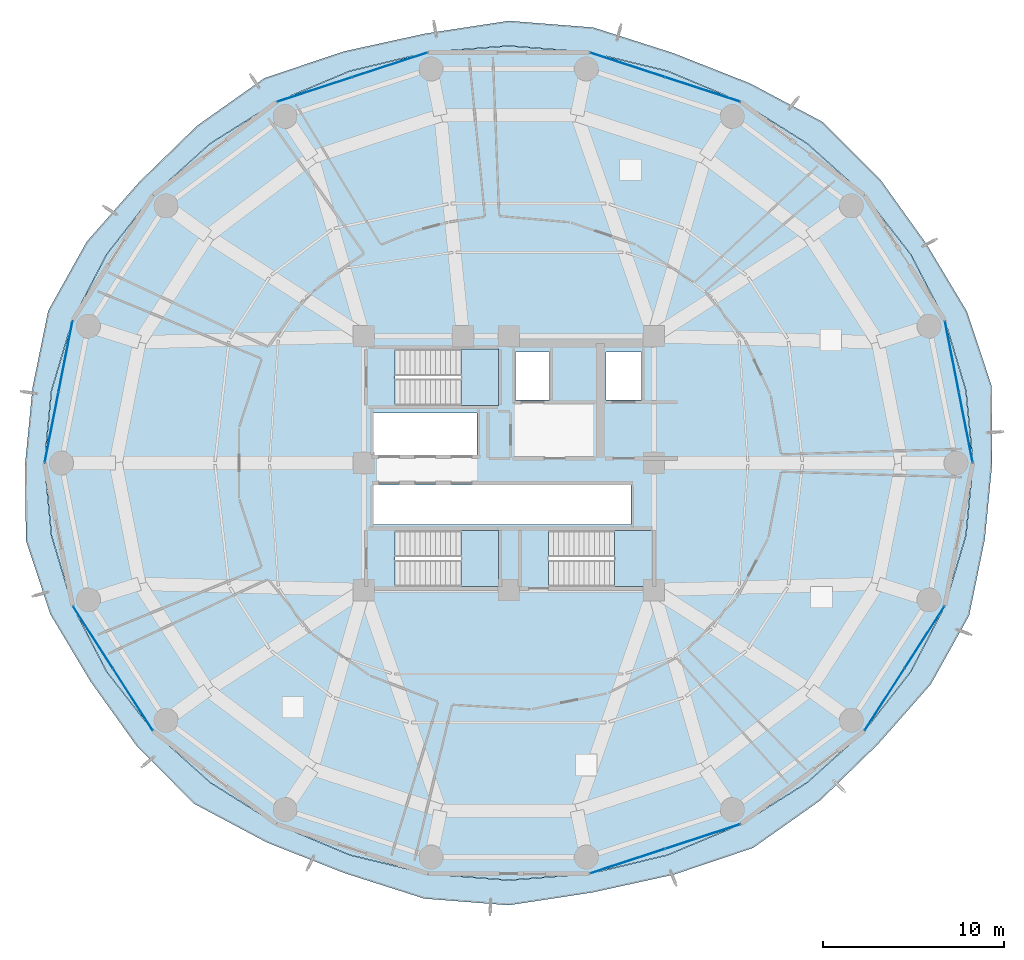
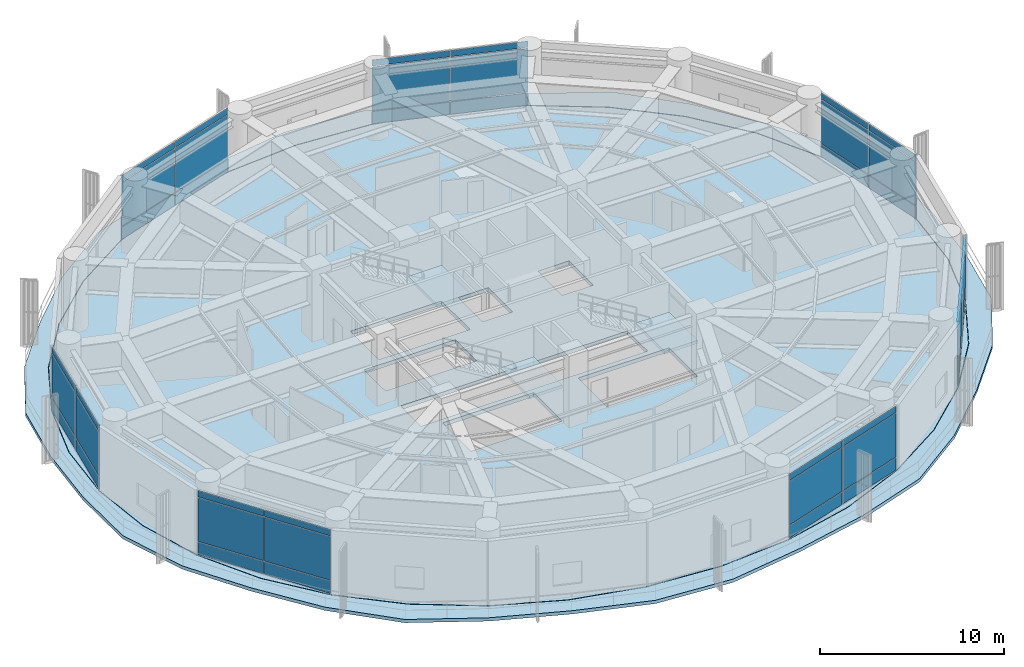
# One storey, part 26 of 34: 42 plates, 5 slabs, 10 elements without a shape of their own.
"""IFC4 building model written with IfcOpenShell, lengths in metres."""

from ifc_helpers import new_model, si_unit, direction, frame, origin, origin_2d, place, context, subcontext, project, spatial, polyline, rectangle, outline, extrude, source, transform, mapped, material, layer, layer_set, type_object, element, aggregate, save


model = new_model("IFC4")

# Units and contexts
model_context = context("Model", 3, precision=1e-05, world=origin(), true_north=direction((0.0, 1.0)))
body_context = subcontext(model_context, "Body", "Model", "MODEL_VIEW")
ifc_project = project(units=[si_unit("LENGTHUNIT", "METRE"), si_unit("AREAUNIT", "SQUARE_METRE"), si_unit("VOLUMEUNIT", "CUBIC_METRE"), si_unit("PLANEANGLEUNIT", "RADIAN"), si_unit("MASSUNIT", "GRAM", prefix="KILO")], contexts=[model_context])

# Site, building, storey
site_placement = place(None, origin())
site = spatial("IfcSite", under=ifc_project, at=site_placement, CompositionType="ELEMENT")
building_placement = place(site_placement, origin())
building = spatial("IfcBuilding", under=site, at=building_placement, Name="Kelanora Arch Commons", CompositionType="ELEMENT")
storey_placement = place(building_placement, frame((0.0, 0.0, 125.10009765625)))
storey = spatial("IfcBuildingStorey", under=building, at=storey_placement, Name="L32", CompositionType="ELEMENT", Elevation=125.10009765625)

# Stair, slab
ifc_material_1 = material(Name="Concrete C40/50", Category="concrete")
stair_type = type_object("IfcStairType", Name="STR-DL-476", PredefinedType="HALF_TURN_STAIR", material=ifc_material_1)
stair_1_placement = place(storey_placement, origin())
stair_1 = element("IfcStair", 1, at=stair_1_placement, inside=storey, type_object=stair_type, Name="L32 ST-T1", PredefinedType="HALF_TURN_STAIR")
ifc_layer_1 = layer(ifc_material_1, 0.199951171875)
ifc_layer_set_1 = layer_set([ifc_layer_1], Name="Concrete C40/50")
slab_type_1 = type_object("IfcSlabType", Name="SLB-STAIR-LND", PredefinedType="LANDING", material=ifc_layer_set_1)
slab_1_placement = place(storey_placement, frame((0.0, 0.0, 2.179931640625)))
slab_1 = element("IfcSlab", 2, at=slab_1_placement, type_object=slab_type_1, Name="ST-T1 landing 1", PredefinedType="LANDING", context=body_context, shape_type="SweptSolid", body=[
    extrude(outline(polyline([(71.360107421875, 61.179931640625), (73.43994140625, 61.179931640625), (73.43994140625, 64.2900390625), (71.360107421875, 64.2900390625), (71.360107421875, 61.179931640625)])), origin(), (0.0, 0.0, 1.0), 0.199951171875),
])
aggregate(stair_1, [slab_1])

stair_2_placement = place(storey_placement, origin())
stair_2 = element("IfcStair", 3, at=stair_2_placement, inside=storey, type_object=stair_type, Name="L32 ST-T2", PredefinedType="HALF_TURN_STAIR")
slab_2_placement = place(storey_placement, frame((0.0, 0.0, 2.179931640625)))
slab_2 = element("IfcSlab", 4, at=slab_2_placement, type_object=slab_type_1, Name="ST-T2 landing 1", PredefinedType="LANDING", context=body_context, shape_type="SweptSolid", body=[
    extrude(outline(polyline([(79.840087890625, 51.179931640625), (81.919921875, 51.179931640625), (81.919921875, 54.2900390625), (79.840087890625, 54.2900390625), (79.840087890625, 51.179931640625)])), origin(), (0.0, 0.0, 1.0), 0.199951171875),
])
aggregate(stair_2, [slab_2])

stair_3_placement = place(storey_placement, origin())
stair_3 = element("IfcStair", 5, at=stair_3_placement, inside=storey, type_object=stair_type, Name="L32 ST-T3", PredefinedType="HALF_TURN_STAIR")
slab_3_placement = place(storey_placement, frame((0.0, 0.0, 2.179931640625)))
slab_3 = element("IfcSlab", 6, at=slab_3_placement, type_object=slab_type_1, Name="ST-T3 landing 1", PredefinedType="LANDING", context=body_context, shape_type="SweptSolid", body=[
    extrude(outline(polyline([(71.360107421875, 51.179931640625), (73.43994140625, 51.179931640625), (73.43994140625, 54.2900390625), (71.360107421875, 54.2900390625), (71.360107421875, 51.179931640625)])), origin(), (0.0, 0.0, 1.0), 0.199951171875),
])
aggregate(stair_3, [slab_3])

# Slabs
ifc_layer_2 = layer(ifc_material_1, 0.260009765625)
ifc_layer_set_2 = layer_set([ifc_layer_2], Name="Concrete C40/50")
slab_type_2 = type_object("IfcSlabType", Name="SLB-TWR-TYP", PredefinedType="FLOOR", material=ifc_layer_set_2)
slab_4_placement = place(storey_placement, frame((0.0, 0.0, -0.260009765625)))
element("IfcSlab", 7, at=slab_4_placement, inside=storey, type_object=slab_type_2, Name="Tower Floor Slab L32", PredefinedType="FLOOR", context=body_context, shape_type="SweptSolid", body=[
    extrude(outline(polyline([(99.60009765625, 58.0), (99.211181640625, 61.993896484375), (98.05615234375, 65.866455078125), (96.17041015625, 69.5), (93.610595703125, 72.7841796875), (90.455322265625, 75.618896484375), (86.800048828125, 77.918701171875), (82.755615234375, 79.61279296875), (78.4453125, 80.650634765625), (74.0, 81.0), (69.5546875, 80.650634765625), (65.244384765625, 79.61279296875), (61.199951171875, 77.918701171875), (57.544677734375, 75.618896484375), (54.389404296875, 72.7841796875), (51.82958984375, 69.5), (49.94384765625, 65.866455078125), (48.788818359375, 61.993896484375), (48.39990234375, 58.0), (48.788818359375, 54.006103515625), (49.94384765625, 50.133544921875), (51.82958984375, 46.5), (54.389404296875, 43.2158203125), (57.544677734375, 40.381103515625), (61.199951171875, 38.081298828125), (65.244384765625, 36.38720703125), (69.5546875, 35.349365234375), (74.0, 35.0), (78.4453125, 35.349365234375), (82.755615234375, 36.38720703125), (86.800048828125, 38.081298828125), (90.455322265625, 40.381103515625), (93.610595703125, 43.2158203125), (96.17041015625, 46.5), (98.05615234375, 50.133544921875), (99.211181640625, 54.006103515625), (99.60009765625, 58.0)]), holes=[polyline([(73.431884765625, 51.18798828125), (67.72802734375, 51.18798828125), (67.72802734375, 54.281982421875), (73.431884765625, 54.281982421875), (73.431884765625, 51.18798828125)]), polyline([(76.2080078125, 51.18798828125), (76.2080078125, 54.281982421875), (81.912109375, 54.281982421875), (81.912109375, 51.18798828125), (76.2080078125, 51.18798828125)]), polyline([(66.550048828125, 54.60009765625), (66.550048828125, 56.800048828125), (80.75, 56.800048828125), (80.75, 54.60009765625), (66.550048828125, 54.60009765625)]), polyline([(66.550048828125, 58.449951171875), (66.550048828125, 60.75), (72.25, 60.75), (72.25, 58.449951171875), (66.550048828125, 58.449951171875)]), polyline([(67.72802734375, 61.18798828125), (67.72802734375, 64.281982421875), (73.431884765625, 64.281982421875), (73.431884765625, 61.18798828125), (67.72802734375, 61.18798828125)]), polyline([(74.3798828125, 61.47998046875), (74.3798828125, 64.1201171875), (76.260009765625, 64.1201171875), (76.260009765625, 61.47998046875), (74.3798828125, 61.47998046875)]), polyline([(79.3798828125, 61.47998046875), (79.3798828125, 64.1201171875), (81.320068359375, 64.1201171875), (81.320068359375, 61.47998046875), (79.3798828125, 61.47998046875)])]), origin(), (0.0, 0.0, 1.0), 0.260009765625),
])
ifc_layer_3 = layer(ifc_material_1, 0.219970703125)
ifc_layer_set_3 = layer_set([ifc_layer_3], Name="Concrete C40/50")
slab_type_3 = type_object("IfcSlabType", Name="SLB-WAVE-BAL", PredefinedType="FLOOR", material=ifc_layer_set_3)
slab_5_placement = place(storey_placement, frame((0.0, 0.0, -0.22021484375)))
element("IfcSlab", 8, at=slab_5_placement, inside=storey, type_object=slab_type_3, Name="Sinusoidal Wave Balcony Slab L32", PredefinedType="FLOOR", context=body_context, shape_type="SweptSolid", body=[
    extrude(outline(polyline([(100.669189453125, 58.0), (100.630615234375, 62.2724609375), (99.275390625, 66.3603515625), (97.0537109375, 70.067626953125), (94.509765625, 73.623779296875), (91.343994140625, 76.7978515625), (87.326904296875, 78.9345703125), (83.08203125, 80.61083984375), (78.6630859375, 82.024169921875), (74.0, 82.390625), (69.390380859375, 81.6875), (64.888671875, 80.70068359375), (60.520263671875, 79.22900390625), (56.80419921875, 76.601318359375), (53.621826171875, 73.500732421875), (50.72314453125, 70.211181640625), (48.603271484375, 66.40966796875), (47.739501953125, 62.19970703125), (47.330810546875, 58.0), (47.369384765625, 53.7275390625), (48.724609375, 49.6396484375), (50.9462890625, 45.932373046875), (53.490234375, 42.376220703125), (56.656005859375, 39.2021484375), (60.673095703125, 37.0654296875), (64.91796875, 35.38916015625), (69.3369140625, 33.975830078125), (74.0, 33.609375), (78.609619140625, 34.3125), (83.111328125, 35.29931640625), (87.479736328125, 36.77099609375), (91.19580078125, 39.398681640625), (94.378173828125, 42.499267578125), (97.27685546875, 45.788818359375), (99.396728515625, 49.59033203125), (100.260498046875, 53.80029296875), (100.669189453125, 58.0)]), holes=[polyline([(99.230712890625, 54.002685546875), (98.074951171875, 50.126708984375), (96.1875, 46.489990234375), (93.626220703125, 43.202880859375), (90.46826171875, 40.36572265625), (86.81005859375, 38.064208984375), (82.7626953125, 36.368408203125), (78.448974609375, 35.32958984375), (74.0, 34.97998046875), (69.551025390625, 35.32958984375), (65.2373046875, 36.368408203125), (61.18994140625, 38.064208984375), (57.53173828125, 40.36572265625), (54.373779296875, 43.202880859375), (51.8125, 46.489990234375), (49.925048828125, 50.126708984375), (48.769287109375, 54.002685546875), (48.3798828125, 58.0), (48.769287109375, 61.997314453125), (49.925048828125, 65.873291015625), (51.8125, 69.510009765625), (54.373779296875, 72.797119140625), (57.53173828125, 75.63427734375), (61.18994140625, 77.935791015625), (65.2373046875, 79.631591796875), (69.551025390625, 80.67041015625), (74.0, 81.02001953125), (78.448974609375, 80.67041015625), (82.7626953125, 79.631591796875), (86.81005859375, 77.935791015625), (90.46826171875, 75.63427734375), (93.626220703125, 72.797119140625), (96.1875, 69.510009765625), (98.074951171875, 65.873291015625), (99.230712890625, 61.997314453125), (99.6201171875, 58.0), (99.230712890625, 54.002685546875)])]), origin(), (0.0, 0.0, 1.0), 0.22021484375),
])

# Curtain wall, plates
ifc_material_2 = material(Name="Terracotta ceramic-fritted low-E glass and aluminium", Category="masonry")
ifc_layer_4 = layer(ifc_material_2, 0.159912109375)
ifc_layer_set_4 = layer_set([ifc_layer_4], Name="Terracotta ceramic-fritted low-E glass and aluminium")
curtain_wall_type = type_object("IfcCurtainWallType", Name="CW-SYS-01", PredefinedType="NOTDEFINED", material=ifc_layer_set_4)
curtain_wall_1_placement = place(storey_placement, origin())
curtain_wall_1 = element("IfcCurtainWall", 9, at=curtain_wall_1_placement, inside=storey, type_object=curtain_wall_type, Name="Unitised Curtain Wall L32-B00", PredefinedType="NOTDEFINED")
ifc_material_3 = material(Name="Terracotta ceramic-fritted double glazing", Category="masonry")
ifc_layer_5 = layer(ifc_material_3, 0.028076171875)
ifc_layer_set_5 = layer_set([ifc_layer_5], Name="Terracotta ceramic-fritted double glazing")
plate_type = type_object("IfcPlateType", Name="CWP-FRIT", PredefinedType="CURTAIN_PANEL", material=ifc_layer_set_5)
shared_shape_1 = source(origin(), body_context, "Body", "SweptSolid", [
    extrude(rectangle(XDim=3.9033203125, YDim=0.028076171875, at=origin_2d()), origin(), (0.0, 0.0, 1.0), 0.81005859375),
])
plate_1_placement = place(storey_placement, frame((99.209716796875, 59.98876953125, 0.059814453125), z_axis=(0.0, 0.0, 1.0), x_axis=(-0.192584916272, 0.981280311646, 0.0)))
plate_1 = element("IfcPlate", 10, at=plate_1_placement, type_object=plate_type, Name="CW-01 panel 1.1", PredefinedType="CURTAIN_PANEL", context=body_context, shape_type="MappedRepresentation", body=[
    mapped(shared_shape_1, transform((0.0, 0.0, 0.0), scale=1.0)),
])
plate_2_placement = place(storey_placement, frame((98.446533203125, 63.877685546875, 0.059814453125), z_axis=(0.0, 0.0, 1.0), x_axis=(-0.192584916272, 0.981280311646, 0.0)))
plate_2 = element("IfcPlate", 11, at=plate_2_placement, type_object=plate_type, Name="CW-01 panel 2.1", PredefinedType="CURTAIN_PANEL", context=body_context, shape_type="MappedRepresentation", body=[
    mapped(shared_shape_1, transform((0.0, 0.0, 0.0), scale=1.0)),
])

curtain_wall_2_placement = place(storey_placement, origin())
curtain_wall_2 = element("IfcCurtainWall", 12, at=curtain_wall_2_placement, inside=storey, type_object=curtain_wall_type, Name="Unitised Curtain Wall L32-B08", PredefinedType="NOTDEFINED")
plate_3_placement = place(storey_placement, frame((49.553466796875, 63.877685546875, 0.059814453125), z_axis=(0.0, 0.0, 1.0), x_axis=(-0.192584916272, -0.981280311646, 0.0)))
plate_3 = element("IfcPlate", 13, at=plate_3_placement, type_object=plate_type, Name="CW-01 panel 1.1", PredefinedType="CURTAIN_PANEL", context=body_context, shape_type="MappedRepresentation", body=[
    mapped(shared_shape_1, transform((0.0, 0.0, 0.0), scale=1.0)),
])
plate_4_placement = place(storey_placement, frame((48.790283203125, 59.98876953125, 0.059814453125), z_axis=(0.0, 0.0, 1.0), x_axis=(-0.192584916272, -0.981280311646, 0.0)))
plate_4 = element("IfcPlate", 14, at=plate_4_placement, type_object=plate_type, Name="CW-01 panel 2.1", PredefinedType="CURTAIN_PANEL", context=body_context, shape_type="MappedRepresentation", body=[
    mapped(shared_shape_1, transform((0.0, 0.0, 0.0), scale=1.0)),
])

curtain_wall_3_placement = place(storey_placement, origin())
curtain_wall_3 = element("IfcCurtainWall", 15, at=curtain_wall_3_placement, inside=storey, type_object=curtain_wall_type, Name="Unitised Curtain Wall L32-B03", PredefinedType="NOTDEFINED")
shared_shape_2 = source(origin(), body_context, "Body", "SweptSolid", [
    extrude(rectangle(XDim=4.2900390625, YDim=0.028076171875, at=origin_2d()), origin(), (0.0, 0.0, 1.0), 0.81005859375),
])
plate_5_placement = place(storey_placement, frame((84.68994140625, 78.608642578125, 0.059814453125), z_axis=(0.0, 0.0, 1.0), x_axis=(-0.950473795867, 0.31080470294, 0.0)))
plate_5 = element("IfcPlate", 16, at=plate_5_placement, type_object=plate_type, Name="CW-01 panel 1.1", PredefinedType="CURTAIN_PANEL", context=body_context, shape_type="MappedRepresentation", body=[
    mapped(shared_shape_2, transform((0.0, 0.0, 0.0), scale=1.0)),
])
plate_6_placement = place(storey_placement, frame((80.555419921875, 79.960693359375, 0.059814453125), z_axis=(0.0, 0.0, 1.0), x_axis=(-0.950473795867, 0.31080470294, 0.0)))
plate_6 = element("IfcPlate", 17, at=plate_6_placement, type_object=plate_type, Name="CW-01 panel 2.1", PredefinedType="CURTAIN_PANEL", context=body_context, shape_type="MappedRepresentation", body=[
    mapped(shared_shape_2, transform((0.0, 0.0, 0.0), scale=1.0)),
])

curtain_wall_4_placement = place(storey_placement, origin())
curtain_wall_4 = element("IfcCurtainWall", 18, at=curtain_wall_4_placement, inside=storey, type_object=curtain_wall_type, Name="Unitised Curtain Wall L32-B05", PredefinedType="NOTDEFINED")
plate_7_placement = place(storey_placement, frame((67.444580078125, 79.960693359375, 0.059814453125), z_axis=(0.0, 0.0, 1.0), x_axis=(-0.950473795867, -0.31080470294, 0.0)))
plate_7 = element("IfcPlate", 19, at=plate_7_placement, type_object=plate_type, Name="CW-01 panel 1.1", PredefinedType="CURTAIN_PANEL", context=body_context, shape_type="MappedRepresentation", body=[
    mapped(shared_shape_2, transform((0.0, 0.0, 0.0), scale=1.0)),
])
plate_8_placement = place(storey_placement, frame((63.31005859375, 78.608642578125, 0.059814453125), z_axis=(0.0, 0.0, 1.0), x_axis=(-0.950473795867, -0.31080470294, 0.0)))
plate_8 = element("IfcPlate", 20, at=plate_8_placement, type_object=plate_type, Name="CW-01 panel 2.1", PredefinedType="CURTAIN_PANEL", context=body_context, shape_type="MappedRepresentation", body=[
    mapped(shared_shape_2, transform((0.0, 0.0, 0.0), scale=1.0)),
])

curtain_wall_5_placement = place(storey_placement, origin())
curtain_wall_5 = element("IfcCurtainWall", 21, at=curtain_wall_5_placement, inside=storey, type_object=curtain_wall_type, Name="Unitised Curtain Wall L32-B14", PredefinedType="NOTDEFINED")
plate_9_placement = place(storey_placement, frame((80.555419921875, 36.039306640625, 0.059814453125), z_axis=(0.0, 0.0, 1.0), x_axis=(0.950473795867, 0.31080470294, 0.0)))
plate_9 = element("IfcPlate", 22, at=plate_9_placement, type_object=plate_type, Name="CW-01 panel 1.1", PredefinedType="CURTAIN_PANEL", context=body_context, shape_type="MappedRepresentation", body=[
    mapped(shared_shape_2, transform((0.0, 0.0, 0.0), scale=1.0)),
])
plate_10_placement = place(storey_placement, frame((84.68994140625, 37.391357421875, 0.059814453125), z_axis=(0.0, 0.0, 1.0), x_axis=(0.950473795867, 0.31080470294, 0.0)))
plate_10 = element("IfcPlate", 23, at=plate_10_placement, type_object=plate_type, Name="CW-01 panel 2.1", PredefinedType="CURTAIN_PANEL", context=body_context, shape_type="MappedRepresentation", body=[
    mapped(shared_shape_2, transform((0.0, 0.0, 0.0), scale=1.0)),
])

curtain_wall_6_placement = place(storey_placement, origin())
curtain_wall_6 = element("IfcCurtainWall", 24, at=curtain_wall_6_placement, inside=storey, type_object=curtain_wall_type, Name="Unitised Curtain Wall L32-B10", PredefinedType="NOTDEFINED")
shared_shape_3 = source(origin(), body_context, "Body", "SweptSolid", [
    extrude(rectangle(XDim=4.00634765625, YDim=0.028076171875, at=origin_2d()), origin(), (0.0, 0.0, 1.0), 0.81005859375),
])
plate_11_placement = place(storey_placement, frame((51.0673828125, 48.38525390625, 0.059814453125), z_axis=(0.0, 0.0, 1.0), x_axis=(0.540616931244, -0.841268883088, 0.0)))
plate_11 = element("IfcPlate", 25, at=plate_11_placement, type_object=plate_type, Name="CW-01 panel 1.1", PredefinedType="CURTAIN_PANEL", context=body_context, shape_type="MappedRepresentation", body=[
    mapped(shared_shape_3, transform((0.0, 0.0, 0.0), scale=1.0)),
])
plate_12_placement = place(storey_placement, frame((53.265869140625, 44.964111328125, 0.059814453125), z_axis=(0.0, 0.0, 1.0), x_axis=(0.540616931244, -0.841268883088, 0.0)))
plate_12 = element("IfcPlate", 26, at=plate_12_placement, type_object=plate_type, Name="CW-01 panel 2.1", PredefinedType="CURTAIN_PANEL", context=body_context, shape_type="MappedRepresentation", body=[
    mapped(shared_shape_3, transform((0.0, 0.0, 0.0), scale=1.0)),
])

curtain_wall_7_placement = place(storey_placement, origin())
curtain_wall_7 = element("IfcCurtainWall", 27, at=curtain_wall_7_placement, inside=storey, type_object=curtain_wall_type, Name="Unitised Curtain Wall L32-B16", PredefinedType="NOTDEFINED")
plate_13_placement = place(storey_placement, frame((94.734130859375, 44.964111328125, 0.059814453125), z_axis=(0.0, 0.0, 1.0), x_axis=(0.540616931244, 0.841268883088, 0.0)))
plate_13 = element("IfcPlate", 28, at=plate_13_placement, type_object=plate_type, Name="CW-01 panel 1.1", PredefinedType="CURTAIN_PANEL", context=body_context, shape_type="MappedRepresentation", body=[
    mapped(shared_shape_3, transform((0.0, 0.0, 0.0), scale=1.0)),
])
plate_14_placement = place(storey_placement, frame((96.9326171875, 48.38525390625, 0.059814453125), z_axis=(0.0, 0.0, 1.0), x_axis=(0.540616931244, 0.841268883088, 0.0)))
plate_14 = element("IfcPlate", 29, at=plate_14_placement, type_object=plate_type, Name="CW-01 panel 2.1", PredefinedType="CURTAIN_PANEL", context=body_context, shape_type="MappedRepresentation", body=[
    mapped(shared_shape_3, transform((0.0, 0.0, 0.0), scale=1.0)),
])

# Plate
shared_shape_4 = source(origin(), body_context, "Body", "SweptSolid", [
    extrude(rectangle(XDim=3.9033203125, YDim=0.028076171875, at=origin_2d()), origin(), (0.0, 0.0, 1.0), 2.885009765625),
])
plate_15_placement = place(storey_placement, frame((99.209716796875, 59.98876953125, 0.9296875), z_axis=(0.0, 0.0, 1.0), x_axis=(-0.192584916272, 0.981280311646, 0.0)))
plate_15 = element("IfcPlate", 30, at=plate_15_placement, type_object=plate_type, Name="CW-01 panel 1.2", PredefinedType="CURTAIN_PANEL", context=body_context, shape_type="MappedRepresentation", body=[
    mapped(shared_shape_4, transform((0.0, 0.0, 0.0), scale=1.0)),
])

plate_16_placement = place(storey_placement, frame((98.446533203125, 63.877685546875, 0.9296875), z_axis=(0.0, 0.0, 1.0), x_axis=(-0.192584916272, 0.981280311646, 0.0)))
plate_16 = element("IfcPlate", 31, at=plate_16_placement, type_object=plate_type, Name="CW-01 panel 2.2", PredefinedType="CURTAIN_PANEL", context=body_context, shape_type="MappedRepresentation", body=[
    mapped(shared_shape_4, transform((0.0, 0.0, 0.0), scale=1.0)),
])

plate_17_placement = place(storey_placement, frame((49.553466796875, 63.877685546875, 0.9296875), z_axis=(0.0, 0.0, 1.0), x_axis=(-0.192584916272, -0.981280311646, 0.0)))
plate_17 = element("IfcPlate", 32, at=plate_17_placement, type_object=plate_type, Name="CW-01 panel 1.2", PredefinedType="CURTAIN_PANEL", context=body_context, shape_type="MappedRepresentation", body=[
    mapped(shared_shape_4, transform((0.0, 0.0, 0.0), scale=1.0)),
])

plate_18_placement = place(storey_placement, frame((48.790283203125, 59.98876953125, 0.9296875), z_axis=(0.0, 0.0, 1.0), x_axis=(-0.192584916272, -0.981280311646, 0.0)))
plate_18 = element("IfcPlate", 33, at=plate_18_placement, type_object=plate_type, Name="CW-01 panel 2.2", PredefinedType="CURTAIN_PANEL", context=body_context, shape_type="MappedRepresentation", body=[
    mapped(shared_shape_4, transform((0.0, 0.0, 0.0), scale=1.0)),
])

shared_shape_5 = source(origin(), body_context, "Body", "SweptSolid", [
    extrude(rectangle(XDim=3.9033203125, YDim=0.028076171875, at=origin_2d()), origin(), (0.0, 0.0, 1.0), 0.409912109375),
])
plate_19_placement = place(storey_placement, frame((99.209716796875, 59.98876953125, 3.875), z_axis=(0.0, 0.0, 1.0), x_axis=(-0.192584916272, 0.981280311646, 0.0)))
plate_19 = element("IfcPlate", 34, at=plate_19_placement, type_object=plate_type, Name="CW-01 panel 1.3", PredefinedType="CURTAIN_PANEL", context=body_context, shape_type="MappedRepresentation", body=[
    mapped(shared_shape_5, transform((0.0, 0.0, 0.0), scale=1.0)),
])

plate_20_placement = place(storey_placement, frame((98.446533203125, 63.877685546875, 3.875), z_axis=(0.0, 0.0, 1.0), x_axis=(-0.192584916272, 0.981280311646, 0.0)))
plate_20 = element("IfcPlate", 35, at=plate_20_placement, type_object=plate_type, Name="CW-01 panel 2.3", PredefinedType="CURTAIN_PANEL", context=body_context, shape_type="MappedRepresentation", body=[
    mapped(shared_shape_5, transform((0.0, 0.0, 0.0), scale=1.0)),
])

aggregate(curtain_wall_1, [plate_1, plate_15, plate_19, plate_2, plate_16, plate_20])

plate_21_placement = place(storey_placement, frame((49.553466796875, 63.877685546875, 3.875), z_axis=(0.0, 0.0, 1.0), x_axis=(-0.192584916272, -0.981280311646, 0.0)))
plate_21 = element("IfcPlate", 36, at=plate_21_placement, type_object=plate_type, Name="CW-01 panel 1.3", PredefinedType="CURTAIN_PANEL", context=body_context, shape_type="MappedRepresentation", body=[
    mapped(shared_shape_5, transform((0.0, 0.0, 0.0), scale=1.0)),
])

plate_22_placement = place(storey_placement, frame((48.790283203125, 59.98876953125, 3.875), z_axis=(0.0, 0.0, 1.0), x_axis=(-0.192584916272, -0.981280311646, 0.0)))
plate_22 = element("IfcPlate", 37, at=plate_22_placement, type_object=plate_type, Name="CW-01 panel 2.3", PredefinedType="CURTAIN_PANEL", context=body_context, shape_type="MappedRepresentation", body=[
    mapped(shared_shape_5, transform((0.0, 0.0, 0.0), scale=1.0)),
])

aggregate(curtain_wall_2, [plate_3, plate_17, plate_21, plate_4, plate_18, plate_22])

shared_shape_6 = source(origin(), body_context, "Body", "SweptSolid", [
    extrude(rectangle(XDim=4.2900390625, YDim=0.028076171875, at=origin_2d()), origin(), (0.0, 0.0, 1.0), 2.885009765625),
])
plate_23_placement = place(storey_placement, frame((84.68994140625, 78.608642578125, 0.9296875), z_axis=(0.0, 0.0, 1.0), x_axis=(-0.950473795867, 0.31080470294, 0.0)))
plate_23 = element("IfcPlate", 38, at=plate_23_placement, type_object=plate_type, Name="CW-01 panel 1.2", PredefinedType="CURTAIN_PANEL", context=body_context, shape_type="MappedRepresentation", body=[
    mapped(shared_shape_6, transform((0.0, 0.0, 0.0), scale=1.0)),
])

plate_24_placement = place(storey_placement, frame((80.555419921875, 79.960693359375, 0.9296875), z_axis=(0.0, 0.0, 1.0), x_axis=(-0.950473795867, 0.31080470294, 0.0)))
plate_24 = element("IfcPlate", 39, at=plate_24_placement, type_object=plate_type, Name="CW-01 panel 2.2", PredefinedType="CURTAIN_PANEL", context=body_context, shape_type="MappedRepresentation", body=[
    mapped(shared_shape_6, transform((0.0, 0.0, 0.0), scale=1.0)),
])

plate_25_placement = place(storey_placement, frame((67.444580078125, 79.960693359375, 0.9296875), z_axis=(0.0, 0.0, 1.0), x_axis=(-0.950473795867, -0.31080470294, 0.0)))
plate_25 = element("IfcPlate", 40, at=plate_25_placement, type_object=plate_type, Name="CW-01 panel 1.2", PredefinedType="CURTAIN_PANEL", context=body_context, shape_type="MappedRepresentation", body=[
    mapped(shared_shape_6, transform((0.0, 0.0, 0.0), scale=1.0)),
])

plate_26_placement = place(storey_placement, frame((63.31005859375, 78.608642578125, 0.9296875), z_axis=(0.0, 0.0, 1.0), x_axis=(-0.950473795867, -0.31080470294, 0.0)))
plate_26 = element("IfcPlate", 41, at=plate_26_placement, type_object=plate_type, Name="CW-01 panel 2.2", PredefinedType="CURTAIN_PANEL", context=body_context, shape_type="MappedRepresentation", body=[
    mapped(shared_shape_6, transform((0.0, 0.0, 0.0), scale=1.0)),
])

plate_27_placement = place(storey_placement, frame((80.555419921875, 36.039306640625, 0.9296875), z_axis=(0.0, 0.0, 1.0), x_axis=(0.950473795867, 0.31080470294, 0.0)))
plate_27 = element("IfcPlate", 42, at=plate_27_placement, type_object=plate_type, Name="CW-01 panel 1.2", PredefinedType="CURTAIN_PANEL", context=body_context, shape_type="MappedRepresentation", body=[
    mapped(shared_shape_6, transform((0.0, 0.0, 0.0), scale=1.0)),
])

plate_28_placement = place(storey_placement, frame((84.68994140625, 37.391357421875, 0.9296875), z_axis=(0.0, 0.0, 1.0), x_axis=(0.950473795867, 0.31080470294, 0.0)))
plate_28 = element("IfcPlate", 43, at=plate_28_placement, type_object=plate_type, Name="CW-01 panel 2.2", PredefinedType="CURTAIN_PANEL", context=body_context, shape_type="MappedRepresentation", body=[
    mapped(shared_shape_6, transform((0.0, 0.0, 0.0), scale=1.0)),
])

shared_shape_7 = source(origin(), body_context, "Body", "SweptSolid", [
    extrude(rectangle(XDim=4.2900390625, YDim=0.028076171875, at=origin_2d()), origin(), (0.0, 0.0, 1.0), 0.409912109375),
])
plate_29_placement = place(storey_placement, frame((84.68994140625, 78.608642578125, 3.875), z_axis=(0.0, 0.0, 1.0), x_axis=(-0.950473795867, 0.31080470294, 0.0)))
plate_29 = element("IfcPlate", 44, at=plate_29_placement, type_object=plate_type, Name="CW-01 panel 1.3", PredefinedType="CURTAIN_PANEL", context=body_context, shape_type="MappedRepresentation", body=[
    mapped(shared_shape_7, transform((0.0, 0.0, 0.0), scale=1.0)),
])

plate_30_placement = place(storey_placement, frame((80.555419921875, 79.960693359375, 3.875), z_axis=(0.0, 0.0, 1.0), x_axis=(-0.950473795867, 0.31080470294, 0.0)))
plate_30 = element("IfcPlate", 45, at=plate_30_placement, type_object=plate_type, Name="CW-01 panel 2.3", PredefinedType="CURTAIN_PANEL", context=body_context, shape_type="MappedRepresentation", body=[
    mapped(shared_shape_7, transform((0.0, 0.0, 0.0), scale=1.0)),
])

aggregate(curtain_wall_3, [plate_5, plate_23, plate_29, plate_6, plate_24, plate_30])

plate_31_placement = place(storey_placement, frame((67.444580078125, 79.960693359375, 3.875), z_axis=(0.0, 0.0, 1.0), x_axis=(-0.950473795867, -0.31080470294, 0.0)))
plate_31 = element("IfcPlate", 46, at=plate_31_placement, type_object=plate_type, Name="CW-01 panel 1.3", PredefinedType="CURTAIN_PANEL", context=body_context, shape_type="MappedRepresentation", body=[
    mapped(shared_shape_7, transform((0.0, 0.0, 0.0), scale=1.0)),
])

plate_32_placement = place(storey_placement, frame((63.31005859375, 78.608642578125, 3.875), z_axis=(0.0, 0.0, 1.0), x_axis=(-0.950473795867, -0.31080470294, 0.0)))
plate_32 = element("IfcPlate", 47, at=plate_32_placement, type_object=plate_type, Name="CW-01 panel 2.3", PredefinedType="CURTAIN_PANEL", context=body_context, shape_type="MappedRepresentation", body=[
    mapped(shared_shape_7, transform((0.0, 0.0, 0.0), scale=1.0)),
])

aggregate(curtain_wall_4, [plate_7, plate_25, plate_31, plate_8, plate_26, plate_32])

plate_33_placement = place(storey_placement, frame((80.555419921875, 36.039306640625, 3.875), z_axis=(0.0, 0.0, 1.0), x_axis=(0.950473795867, 0.31080470294, 0.0)))
plate_33 = element("IfcPlate", 48, at=plate_33_placement, type_object=plate_type, Name="CW-01 panel 1.3", PredefinedType="CURTAIN_PANEL", context=body_context, shape_type="MappedRepresentation", body=[
    mapped(shared_shape_7, transform((0.0, 0.0, 0.0), scale=1.0)),
])

plate_34_placement = place(storey_placement, frame((84.68994140625, 37.391357421875, 3.875), z_axis=(0.0, 0.0, 1.0), x_axis=(0.950473795867, 0.31080470294, 0.0)))
plate_34 = element("IfcPlate", 49, at=plate_34_placement, type_object=plate_type, Name="CW-01 panel 2.3", PredefinedType="CURTAIN_PANEL", context=body_context, shape_type="MappedRepresentation", body=[
    mapped(shared_shape_7, transform((0.0, 0.0, 0.0), scale=1.0)),
])

aggregate(curtain_wall_5, [plate_9, plate_27, plate_33, plate_10, plate_28, plate_34])

shared_shape_8 = source(origin(), body_context, "Body", "SweptSolid", [
    extrude(rectangle(XDim=4.00634765625, YDim=0.028076171875, at=origin_2d()), origin(), (0.0, 0.0, 1.0), 2.885009765625),
])
plate_35_placement = place(storey_placement, frame((51.0673828125, 48.38525390625, 0.9296875), z_axis=(0.0, 0.0, 1.0), x_axis=(0.540616931244, -0.841268883088, 0.0)))
plate_35 = element("IfcPlate", 50, at=plate_35_placement, type_object=plate_type, Name="CW-01 panel 1.2", PredefinedType="CURTAIN_PANEL", context=body_context, shape_type="MappedRepresentation", body=[
    mapped(shared_shape_8, transform((0.0, 0.0, 0.0), scale=1.0)),
])

plate_36_placement = place(storey_placement, frame((53.265869140625, 44.964111328125, 0.9296875), z_axis=(0.0, 0.0, 1.0), x_axis=(0.540616931244, -0.841268883088, 0.0)))
plate_36 = element("IfcPlate", 51, at=plate_36_placement, type_object=plate_type, Name="CW-01 panel 2.2", PredefinedType="CURTAIN_PANEL", context=body_context, shape_type="MappedRepresentation", body=[
    mapped(shared_shape_8, transform((0.0, 0.0, 0.0), scale=1.0)),
])

plate_37_placement = place(storey_placement, frame((94.734130859375, 44.964111328125, 0.9296875), z_axis=(0.0, 0.0, 1.0), x_axis=(0.540616931244, 0.841268883088, 0.0)))
plate_37 = element("IfcPlate", 52, at=plate_37_placement, type_object=plate_type, Name="CW-01 panel 1.2", PredefinedType="CURTAIN_PANEL", context=body_context, shape_type="MappedRepresentation", body=[
    mapped(shared_shape_8, transform((0.0, 0.0, 0.0), scale=1.0)),
])

plate_38_placement = place(storey_placement, frame((96.9326171875, 48.38525390625, 0.9296875), z_axis=(0.0, 0.0, 1.0), x_axis=(0.540616931244, 0.841268883088, 0.0)))
plate_38 = element("IfcPlate", 53, at=plate_38_placement, type_object=plate_type, Name="CW-01 panel 2.2", PredefinedType="CURTAIN_PANEL", context=body_context, shape_type="MappedRepresentation", body=[
    mapped(shared_shape_8, transform((0.0, 0.0, 0.0), scale=1.0)),
])

shared_shape_9 = source(origin(), body_context, "Body", "SweptSolid", [
    extrude(rectangle(XDim=4.00634765625, YDim=0.028076171875, at=origin_2d()), origin(), (0.0, 0.0, 1.0), 0.409912109375),
])
plate_39_placement = place(storey_placement, frame((51.0673828125, 48.38525390625, 3.875), z_axis=(0.0, 0.0, 1.0), x_axis=(0.540616931244, -0.841268883088, 0.0)))
plate_39 = element("IfcPlate", 54, at=plate_39_placement, type_object=plate_type, Name="CW-01 panel 1.3", PredefinedType="CURTAIN_PANEL", context=body_context, shape_type="MappedRepresentation", body=[
    mapped(shared_shape_9, transform((0.0, 0.0, 0.0), scale=1.0)),
])

plate_40_placement = place(storey_placement, frame((53.265869140625, 44.964111328125, 3.875), z_axis=(0.0, 0.0, 1.0), x_axis=(0.540616931244, -0.841268883088, 0.0)))
plate_40 = element("IfcPlate", 55, at=plate_40_placement, type_object=plate_type, Name="CW-01 panel 2.3", PredefinedType="CURTAIN_PANEL", context=body_context, shape_type="MappedRepresentation", body=[
    mapped(shared_shape_9, transform((0.0, 0.0, 0.0), scale=1.0)),
])

aggregate(curtain_wall_6, [plate_11, plate_35, plate_39, plate_12, plate_36, plate_40])

plate_41_placement = place(storey_placement, frame((94.734130859375, 44.964111328125, 3.875), z_axis=(0.0, 0.0, 1.0), x_axis=(0.540616931244, 0.841268883088, 0.0)))
plate_41 = element("IfcPlate", 56, at=plate_41_placement, type_object=plate_type, Name="CW-01 panel 1.3", PredefinedType="CURTAIN_PANEL", context=body_context, shape_type="MappedRepresentation", body=[
    mapped(shared_shape_9, transform((0.0, 0.0, 0.0), scale=1.0)),
])

plate_42_placement = place(storey_placement, frame((96.9326171875, 48.38525390625, 3.875), z_axis=(0.0, 0.0, 1.0), x_axis=(0.540616931244, 0.841268883088, 0.0)))
plate_42 = element("IfcPlate", 57, at=plate_42_placement, type_object=plate_type, Name="CW-01 panel 2.3", PredefinedType="CURTAIN_PANEL", context=body_context, shape_type="MappedRepresentation", body=[
    mapped(shared_shape_9, transform((0.0, 0.0, 0.0), scale=1.0)),
])

aggregate(curtain_wall_7, [plate_13, plate_37, plate_41, plate_14, plate_38, plate_42])

save(model, "model.ifc")
